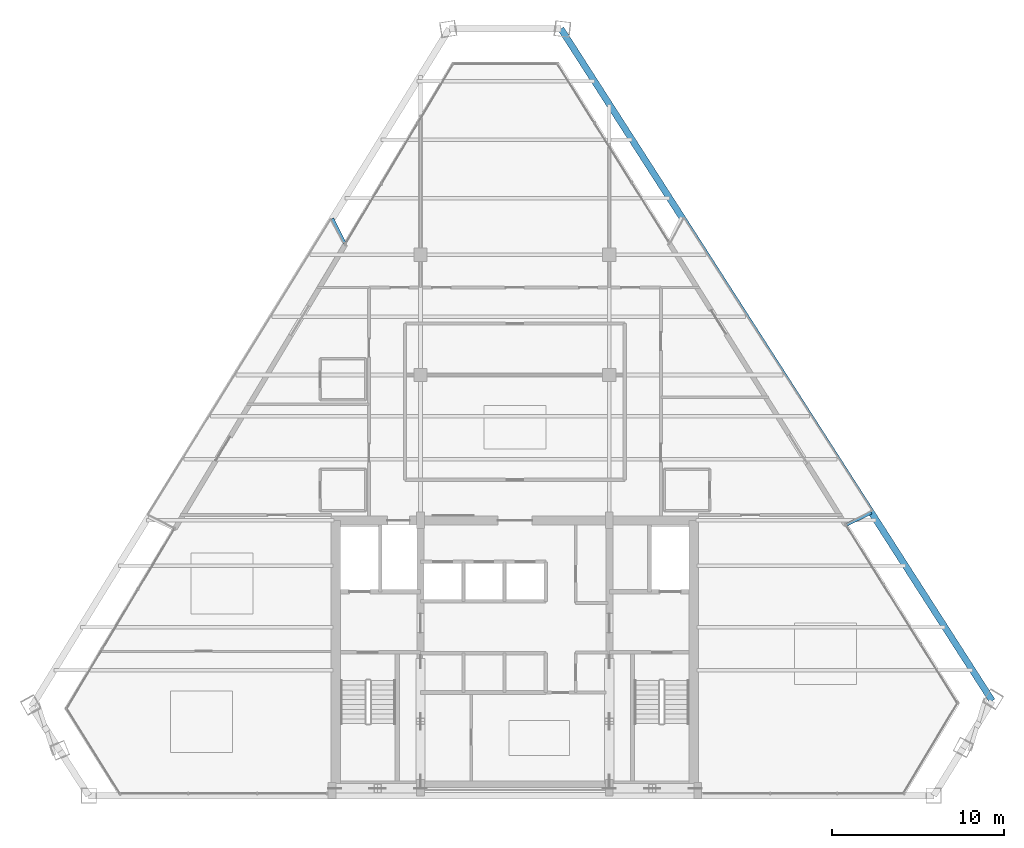
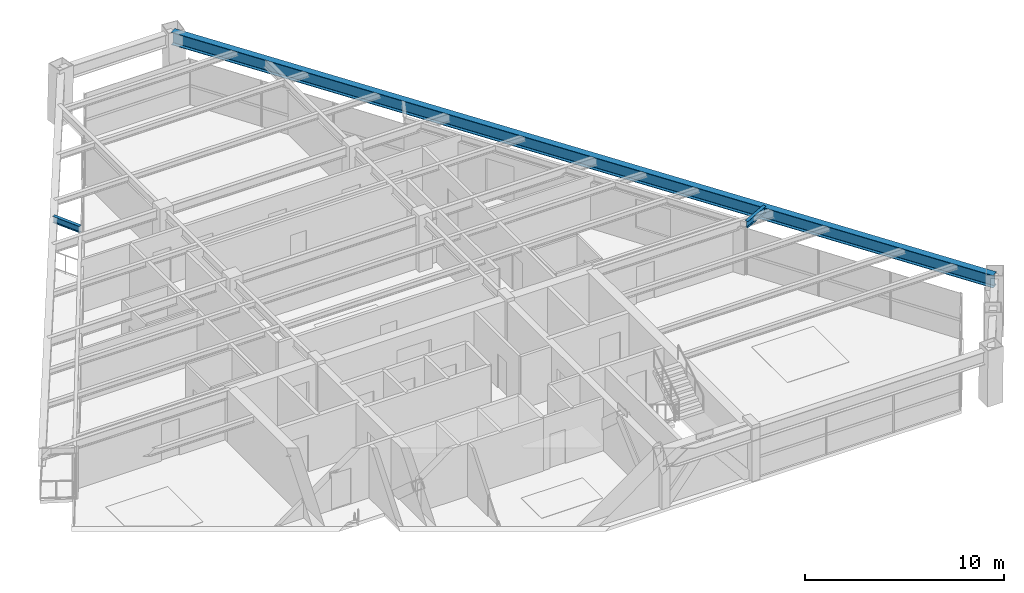
# One storey, part 5 of 12: 3 beams.
"""IFC4 building model written with IfcOpenShell, lengths in metres."""

import ifcopenshell
import ifcopenshell.guid

model = None  # the IFC model being written
_history = None  # IfcOwnerHistory: only IFC2X3 demands one
_inside = {}  # id of a spatial element -> (the spatial element, [elements in it])
_under = {}  # id of a project, library or spatial element -> (it, [spatial elements below it])
_declared = {}  # id of a project -> (the project, [libraries it declares])
_typed = {}  # id of a type object -> (the type object, [elements of that type])
_made_of = {}  # id of a material, layer set ... -> (it, [elements and type objects made of it])


def new_model(schema):
    """Start an empty IFC model of exactly this schema.

    Asked for "IFC4X3", IfcOpenShell would pick the latest addendum, in which some entities
    have other attributes; the version numbers below select the first issue.
    IFC2X3 requires an IfcOwnerHistory on every rooted entity: one is made here for all.
    """
    global model, _history
    if schema == "IFC4X3":
        model = ifcopenshell.file(schema_version=(4, 3, 0, 0))
    else:
        model = ifcopenshell.file(schema=schema)
    _inside.clear()
    _under.clear()
    _declared.clear()
    _typed.clear()
    _made_of.clear()
    _history = None
    if model.schema == "IFC2X3":
        org = make("IfcOrganization", Name="unknown")
        user = make(
            "IfcPersonAndOrganization",
            ThePerson=make("IfcPerson", FamilyName="unknown"),
            TheOrganization=org,
        )
        app = make(
            "IfcApplication",
            ApplicationDeveloper=org,
            Version="unknown",
            ApplicationFullName="unknown",
            ApplicationIdentifier="unknown",
        )
        _history = make(
            "IfcOwnerHistory",
            OwningUser=user,
            OwningApplication=app,
            ChangeAction="ADDED",
            CreationDate=0,
        )
    return model


def make(cls, **values):
    """One entity of the class cls with the attributes given. An attribute that is None is left unset."""
    return model.create_entity(
        cls, **{name: value for name, value in values.items() if value is not None}
    )


def rooted(cls, **values):
    """An entity with a GlobalId (a new one), such as an element, a storey or a relation."""
    return make(cls, GlobalId=ifcopenshell.guid.new(), OwnerHistory=_history, **values)


def si_unit(unit_type, name, prefix=None):
    """IfcSIUnit, for example si_unit("LENGTHUNIT", "METRE", prefix="MILLI")."""
    return make("IfcSIUnit", UnitType=unit_type, Prefix=prefix, Name=name)


def assignment(units):
    """IfcUnitAssignment: the units of a project."""
    return None if units is None else make("IfcUnitAssignment", Units=units)


def point(xyz):
    """IfcCartesianPoint."""
    return None if xyz is None else make("IfcCartesianPoint", Coordinates=xyz)


def direction(xyz):
    """IfcDirection."""
    return None if xyz is None else make("IfcDirection", DirectionRatios=xyz)


def frame(location, z_axis=None, x_axis=None):
    """IfcAxis2Placement3D, a coordinate frame: its origin and axes. An axis left out is left unset."""
    return make(
        "IfcAxis2Placement3D",
        Location=point(location),
        Axis=direction(z_axis),
        RefDirection=direction(x_axis),
    )


def frame_2d(location, x_axis=None):
    """IfcAxis2Placement2D, a coordinate frame in the plane: its origin and x axis."""
    return make(
        "IfcAxis2Placement2D", Location=point(location), RefDirection=direction(x_axis)
    )


def origin():
    """The frame at (0, 0, 0) with its axes left unset."""
    return frame((0.0, 0.0, 0.0))


def origin_2d():
    """The frame at (0, 0) in the plane with its x axis left unset."""
    return frame_2d((0.0, 0.0))


def place(relative_to, where):
    """IfcLocalPlacement: puts the frame where relative to a parent placement (None: the world)."""
    return make(
        "IfcLocalPlacement", PlacementRelTo=relative_to, RelativePlacement=where
    )


def context(
    kind, dimensions, precision=None, world=None, true_north=None, identifier=None
):
    """IfcGeometricRepresentationContext, for example the 3D "Model" context."""
    return make(
        "IfcGeometricRepresentationContext",
        ContextIdentifier=identifier,
        ContextType=kind,
        CoordinateSpaceDimension=dimensions,
        Precision=precision,
        WorldCoordinateSystem=world,
        TrueNorth=true_north,
    )


def subcontext(parent, identifier, kind, view, scale=None):
    """IfcGeometricRepresentationSubContext, for example "Body" below "Model"."""
    return make(
        "IfcGeometricRepresentationSubContext",
        ContextIdentifier=identifier,
        ContextType=kind,
        ParentContext=parent,
        TargetScale=scale,
        TargetView=view,
    )


def project(units=None, contexts=None):
    """IfcProject with its units and contexts."""
    return rooted(
        "IfcProject",
        Name="project",
        RepresentationContexts=contexts,
        UnitsInContext=assignment(units),
    )


def spatial(cls, under=None, at=None, **own):
    """A site, building, storey or space (cls), placed at a placement, below another one or the project."""
    s = rooted(cls, ObjectPlacement=at, **own)
    if under is not None:
        _under.setdefault(under.id(), (under, []))[1].append(s)
    return s


def profile(cls, at=None, kind="AREA", **sizes):
    """A parametric profile (cls). Its sizes go by their IFC names, for example OverallWidth=200.0."""
    return make(cls, ProfileType=kind, Position=at, **sizes)


def i_section(**sizes):
    """IfcIShapeProfileDef."""
    return profile("IfcIShapeProfileDef", **sizes)


def extrude(swept, where, along, depth):
    """IfcExtrudedAreaSolid: the profile swept, set in the frame where, extruded along a direction by depth."""
    return make(
        "IfcExtrudedAreaSolid",
        SweptArea=swept,
        Position=where,
        ExtrudedDirection=direction(along),
        Depth=depth,
    )


def shape(context_of_items, identifier, shape_type, items):
    """IfcShapeRepresentation: the items that make up one representation, for example the "Body"."""
    return make(
        "IfcShapeRepresentation",
        ContextOfItems=context_of_items,
        RepresentationIdentifier=identifier,
        RepresentationType=shape_type,
        Items=items,
    )


def source(mapping_origin, context_of_items, identifier, shape_type, items):
    """IfcRepresentationMap: a shape defined once, which mapped items show again and again."""
    return make(
        "IfcRepresentationMap",
        MappingOrigin=mapping_origin,
        MappedRepresentation=shape(context_of_items, identifier, shape_type, items),
    )


def transform(
    local_origin,
    x_axis=None,
    y_axis=None,
    z_axis=None,
    scale=None,
    scale2=None,
    scale3=None,
    uniform=True,
):
    """IfcCartesianTransformationOperator3D, or its non-uniform kind. x_axis, y_axis, z_axis: its Axis1, 2, 3."""
    if uniform:
        return make(
            "IfcCartesianTransformationOperator3D",
            Axis1=direction(x_axis),
            Axis2=direction(y_axis),
            LocalOrigin=point(local_origin),
            Scale=scale,
            Axis3=direction(z_axis),
        )
    return make(
        "IfcCartesianTransformationOperator3DnonUniform",
        Axis1=direction(x_axis),
        Axis2=direction(y_axis),
        LocalOrigin=point(local_origin),
        Scale=scale,
        Axis3=direction(z_axis),
        Scale2=scale2,
        Scale3=scale3,
    )


def mapped(mapping_source, mapping_target):
    """IfcMappedItem: shows the shape of a source again, moved by a transform."""
    return make(
        "IfcMappedItem", MappingSource=mapping_source, MappingTarget=mapping_target
    )


def material(Name=None, Category=None):
    """IfcMaterial."""
    return make("IfcMaterial", Name=Name, Category=Category)


def material_profile(
    of_material, cross_section, Name=None, Category=None, Priority=None
):
    """IfcMaterialProfile: a cross section and its material."""
    return make(
        "IfcMaterialProfile",
        Name=Name,
        Material=of_material,
        Profile=cross_section,
        Priority=Priority,
        Category=Category,
    )


def profile_set(profiles, Name=None, composite=None):
    """IfcMaterialProfileSet."""
    return make(
        "IfcMaterialProfileSet",
        Name=Name,
        MaterialProfiles=profiles,
        CompositeProfile=composite,
    )


def made_of(thing, what):
    """Note that an element or type object is made of a material, layer set ...; save() writes the relation."""
    if what is not None:
        _made_of.setdefault(what.id(), (what, []))[1].append(thing)
    return thing


def type_object(cls, material=None, **own):
    """A type object (cls), such as IfcWallType, which elements share."""
    return made_of(rooted(cls, **own), material)


def element(
    cls,
    number,
    at=None,
    inside=None,
    cuts=None,
    type_object=None,
    material=None,
    context=None,
    identifier="Body",
    shape_type=None,
    held_by="IfcProductDefinitionShape",
    body=None,
    shapes=None,
    **own,
):
    """One element of the class cls, such as IfcWall. Its Tag is "e" and its number.

    at: its placement. inside: the storey or other place that contains it. cuts: it is an
    opening in that element (IfcRelVoidsElement). A single representation is given by context,
    identifier, shape_type and body (its items); several are given by shapes. held_by: the class
    of the entity that holds the representations. save() writes the other relations.
    """
    e = rooted(cls, Tag="e%d" % number, ObjectPlacement=at, **own)
    if body is not None:
        shapes = [shape(context, identifier, shape_type, body)]
    if shapes is not None:
        e.Representation = make(held_by, Representations=shapes)
    if inside is not None:
        _inside.setdefault(inside.id(), (inside, []))[1].append(e)
    if cuts is not None:
        rooted(
            "IfcRelVoidsElement", RelatingBuildingElement=cuts, RelatedOpeningElement=e
        )
    if type_object is not None:
        _typed.setdefault(type_object.id(), (type_object, []))[1].append(e)
    return made_of(e, material)


def aggregate(whole, parts):
    """IfcRelAggregates: a whole, such as a stair, and the parts it consists of."""
    return rooted("IfcRelAggregates", RelatingObject=whole, RelatedObjects=parts)


def save(model, path):
    """Write the relations noted so far, then the file.

    IfcRelAggregates (storeys below a building ...), IfcRelContainedInSpatialStructure (elements
    in a storey), IfcRelDefinesByType, IfcRelAssociatesMaterial and IfcRelDeclares: one each for
    every whole, place, type object, material and project.
    """
    for whole, parts in _under.values():
        aggregate(whole, parts)
    for where, things in _inside.values():
        rooted(
            "IfcRelContainedInSpatialStructure",
            RelatedElements=things,
            RelatingStructure=where,
        )
    for kind, things in _typed.values():
        rooted("IfcRelDefinesByType", RelatedObjects=things, RelatingType=kind)
    for what, things in _made_of.values():
        rooted("IfcRelAssociatesMaterial", RelatedObjects=things, RelatingMaterial=what)
    for by, libraries in _declared.values():
        rooted("IfcRelDeclares", RelatingContext=by, RelatedDefinitions=libraries)
    model.write(path)


model = new_model("IFC4")

# Units and contexts
model_context = context("Model", 3, precision=1e-05, world=origin(), true_north=direction((0.0, 1.0)))
body_context = subcontext(model_context, "Body", "Model", "MODEL_VIEW")
ifc_project = project(units=[si_unit("LENGTHUNIT", "METRE"), si_unit("AREAUNIT", "SQUARE_METRE"), si_unit("VOLUMEUNIT", "CUBIC_METRE"), si_unit("PLANEANGLEUNIT", "RADIAN"), si_unit("MASSUNIT", "GRAM", prefix="KILO")], contexts=[model_context])

# Site, building, storey
site_placement = place(None, origin())
site = spatial("IfcSite", under=ifc_project, at=site_placement, CompositionType="ELEMENT")
building_placement = place(site_placement, origin())
building = spatial("IfcBuilding", under=site, at=building_placement, Name="Varnakhor Terracotta Tower", CompositionType="ELEMENT")
storey_placement = place(building_placement, frame((0.0, 0.0, 220.0)))
storey = spatial("IfcBuildingStorey", under=building, at=storey_placement, Name="L56", CompositionType="ELEMENT", Elevation=220.0)

# Beams
ifc_material = material(Name="Steel S355", Category="steel")
ifc_material_profile_1 = material_profile(ifc_material, i_section(OverallWidth=0.381103515625, OverallDepth=0.77294921875, WebThickness=0.01708984375, FlangeThickness=0.027099609375, FilletRadius=0.01806640625, at=origin_2d()), Name="W30X173")
ifc_profile_set_1 = profile_set([ifc_material_profile_1], Name="Steel S355")
beam_type_1 = type_object("IfcBeamType", Name="BM-W30X173", PredefinedType="BEAM", material=ifc_profile_set_1)
shared_shape_1 = source(origin(), body_context, "Body", "SweptSolid", [
    extrude(i_section(OverallWidth=0.381103515625, OverallDepth=0.77294921875, WebThickness=0.01708984375, FlangeThickness=0.027099609375, FilletRadius=0.01806640625, at=origin_2d()), origin(), (0.0, 0.0, 1.0), 46.514404296875),
])
beam_1_placement = place(storey_placement, frame((27.80126953125, 5.5205078125, 2.853515625), z_axis=(-0.540092900992, 0.84160540534, 0.0), x_axis=(-0.84160540534, -0.540092900992, 0.0)))
element("IfcBeam", 1, at=beam_1_placement, inside=storey, type_object=beam_type_1, Name="L56 Perimeter Spandrel 4", PredefinedType="BEAM", context=body_context, shape_type="MappedRepresentation", body=[
    mapped(shared_shape_1, transform((0.0, 0.0, 0.0), scale=1.0)),
])
ifc_material_profile_2 = material_profile(ifc_material, i_section(OverallWidth=0.179931640625, OverallDepth=0.39990234375, WebThickness=0.008544921875, FlangeThickness=0.013427734375, FilletRadius=0.01806640625, at=origin_2d()), Name="IPE400")
ifc_profile_set_2 = profile_set([ifc_material_profile_2], Name="Steel S355")
beam_type_2 = type_object("IfcBeamType", Name="JST-IPE400", PredefinedType="JOIST", material=ifc_profile_set_2)
shared_shape_2 = source(origin(), body_context, "Body", "SweptSolid", [
    extrude(i_section(OverallWidth=0.179931640625, OverallDepth=0.39990234375, WebThickness=0.008544921875, FlangeThickness=0.013427734375, FilletRadius=0.01806640625, at=origin_2d()), origin(), (0.0, 0.0, 1.0), 1.6171875),
])
beam_2_placement = place(storey_placement, frame((-9.9169921875, 32.16064453125, 3.0400390625), z_axis=(-0.442799791964, 0.896620512947, 0.0), x_axis=(-0.896620512947, -0.442799791964, 0.0)))
element("IfcBeam", 2, at=beam_2_placement, inside=storey, type_object=beam_type_2, Name="L57 W Loggia Tie Beam 2", PredefinedType="JOIST", context=body_context, shape_type="MappedRepresentation", body=[
    mapped(shared_shape_2, transform((0.0, 0.0, 0.0), scale=1.0)),
])
shared_shape_3 = source(origin(), body_context, "Body", "SweptSolid", [
    extrude(i_section(OverallWidth=0.179931640625, OverallDepth=0.39990234375, WebThickness=0.008544921875, FlangeThickness=0.013427734375, FilletRadius=0.01806640625, at=origin_2d()), origin(), (0.0, 0.0, 1.0), 1.63525390625),
])
beam_3_placement = place(storey_placement, frame((19.294677734375, 15.7705078125, 3.0400390625), z_axis=(0.900464943195, 0.434928598827, 0.0), x_axis=(-0.434928598827, 0.900464943195, 0.0)))
element("IfcBeam", 3, at=beam_3_placement, inside=storey, type_object=beam_type_2, Name="L57 E Loggia Tie Beam 2", PredefinedType="JOIST", context=body_context, shape_type="MappedRepresentation", body=[
    mapped(shared_shape_3, transform((0.0, 0.0, 0.0), scale=1.0)),
])

save(model, "model.ifc")
